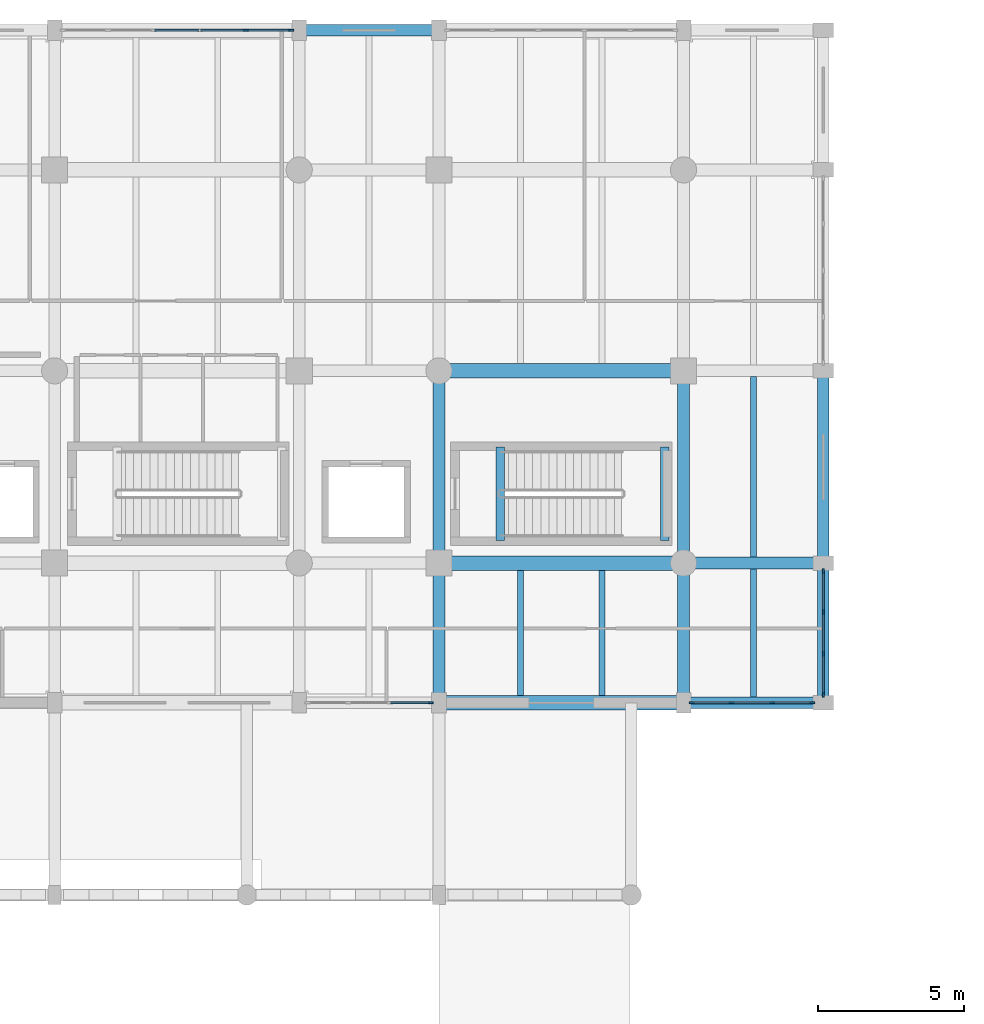
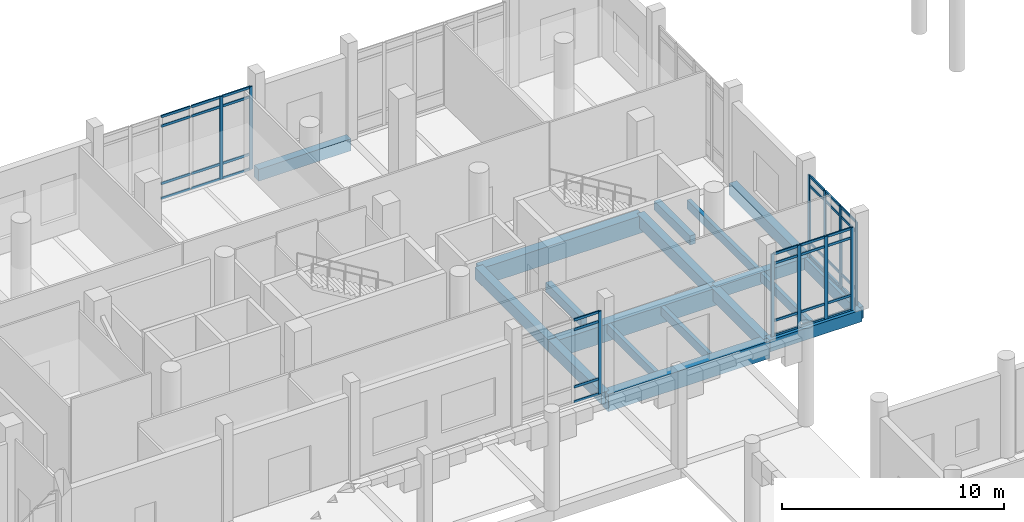
# One storey, part 18 of 72: 51 members, 18 beams, 4 elements without a shape of their own.
"""IFC4 building model written with IfcOpenShell, lengths in metres."""

from ifc_helpers import new_model, si_unit, direction, frame, origin, origin_2d, place, context, subcontext, project, spatial, rectangle, extrude, material, material_profile, profile_set, type_object, element, aggregate, save


model = new_model("IFC4")

# Units and contexts
model_context = context("Model", 3, precision=1e-05, world=origin(), true_north=direction((0.0, 1.0)))
body_context = subcontext(model_context, "Body", "Model", "MODEL_VIEW")
ifc_project = project(units=[si_unit("LENGTHUNIT", "METRE"), si_unit("AREAUNIT", "SQUARE_METRE"), si_unit("VOLUMEUNIT", "CUBIC_METRE"), si_unit("PLANEANGLEUNIT", "RADIAN"), si_unit("MASSUNIT", "GRAM", prefix="KILO")], contexts=[model_context])

# Site, building, storey
site_placement = place(None, origin())
site = spatial("IfcSite", under=ifc_project, at=site_placement, CompositionType="ELEMENT")
building_placement = place(site_placement, origin())
building = spatial("IfcBuilding", under=site, at=building_placement, Name="Dornvale Research Institute", CompositionType="ELEMENT")
storey_placement = place(building_placement, origin())
storey = spatial("IfcBuildingStorey", under=building, at=storey_placement, Name="L00", CompositionType="ELEMENT", Elevation=0.0)

# Beams
ifc_material_1 = material(Name="Concrete f'c 45 MPa (C35/45)", Category="concrete")
ifc_material_profile_1 = material_profile(ifc_material_1, rectangle(XDim=0.300048828125, YDim=0.5, at=origin_2d()), Name="RC 300x500")
ifc_profile_set_1 = profile_set([ifc_material_profile_1], Name="Concrete f'c 45 MPa (C35/45)")
beam_type_1 = type_object("IfcBeamType", Name="Beam_RC300x500_Trim", PredefinedType="BEAM", material=ifc_profile_set_1)
for number, where, z_axis, x_axis, name in (
    (1, (35.10009765625, 104.580078125, -0.25), (0.0, 1.0, 0.0), (-1.0, 0.0, 0.0), "L00 ST-2 stair landing trimmer beam #24"),
    (2, (40.75, 104.580078125, 2.25), (0.0, 1.0, 0.0), (-1.0, 0.0, 0.0), "L00 ST-2 half-landing support beam #37"),
):
    element("IfcBeam", number, at=place(storey_placement, frame(where, z_axis=z_axis, x_axis=x_axis)), inside=storey, type_object=beam_type_1, Name=name, PredefinedType="BEAM", context=body_context, shape_type="SweptSolid", body=[
        extrude(rectangle(XDim=0.300048828125, YDim=0.5, at=origin_2d()), origin(), (0.0, 0.0, 1.0), 3.199951171875),
    ])
ifc_material_2 = material(Name="Concrete f'c 45 MPa (C35/45)", Category="concrete")
ifc_material_profile_2 = material_profile(ifc_material_2, rectangle(XDim=0.39990234375, YDim=0.64990234375, at=origin_2d()), Name="RC 400x650")
ifc_profile_set_2 = profile_set([ifc_material_profile_2], Name="Concrete f'c 45 MPa (C35/45)")
beam_type_2 = type_object("IfcBeamType", Name="Beam_RC400x650_Floor", PredefinedType="BEAM", material=ifc_profile_set_2)
for number, where, z_axis, x_axis, name in (
    (3, (41.39990234375, 99.0, -0.324951171875), (1.0, 0.0, 0.0), (0.0, 1.0, 0.0), "L00 primary girder #7"),
    (4, (41.39990234375, 103.800048828125, -0.324951171875), (1.0, 0.0, 0.0), (0.0, 1.0, 0.0), "L00 primary girder #14"),
    (5, (28.199951171875, 122.10009765625, -0.324951171875), (1.0, 0.0, 0.0), (0.0, 1.0, 0.0), "L00 primary girder #33"),
    (6, (33.0, 99.0, -0.324951171875), (0.0, 1.0, 0.0), (-1.0, 0.0, 0.0), "L00 transverse girder #56"),
):
    element("IfcBeam", number, at=place(storey_placement, frame(where, z_axis=z_axis, x_axis=x_axis)), inside=storey, type_object=beam_type_2, Name=name, PredefinedType="BEAM", context=body_context, shape_type="SweptSolid", body=[
        extrude(rectangle(XDim=0.39990234375, YDim=0.64990234375, at=origin_2d()), origin(), (0.0, 0.0, 1.0), 4.800048828125),
    ])
beam_1_placement = place(storey_placement, frame((33.0, 103.800048828125, -0.324951171875), z_axis=(0.0, 1.0, 0.0), x_axis=(-1.0, 0.0, 0.0)))
element("IfcBeam", 7, at=beam_1_placement, inside=storey, type_object=beam_type_2, Name="L00 transverse girder #57", PredefinedType="BEAM", context=body_context, shape_type="SweptSolid", body=[
    extrude(rectangle(XDim=0.39990234375, YDim=0.64990234375, at=origin_2d()), origin(), (0.0, 0.0, 1.0), 6.599853515625),
])
beam_2_placement = place(storey_placement, frame((41.39990234375, 99.0, -0.324951171875), z_axis=(0.0, 1.0, 0.0), x_axis=(-1.0, 0.0, 0.0)))
element("IfcBeam", 8, at=beam_2_placement, inside=storey, type_object=beam_type_2, Name="L00 transverse girder #60", PredefinedType="BEAM", context=body_context, shape_type="SweptSolid", body=[
    extrude(rectangle(XDim=0.39990234375, YDim=0.64990234375, at=origin_2d()), origin(), (0.0, 0.0, 1.0), 4.800048828125),
])
beam_3_placement = place(storey_placement, frame((41.39990234375, 103.800048828125, -0.324951171875), z_axis=(0.0, 1.0, 0.0), x_axis=(-1.0, 0.0, 0.0)))
element("IfcBeam", 9, at=beam_3_placement, inside=storey, type_object=beam_type_2, Name="L00 transverse girder #61", PredefinedType="BEAM", context=body_context, shape_type="SweptSolid", body=[
    extrude(rectangle(XDim=0.39990234375, YDim=0.64990234375, at=origin_2d()), origin(), (0.0, 0.0, 1.0), 6.599853515625),
])
beam_4_placement = place(storey_placement, frame((46.199951171875, 99.0, -0.324951171875), z_axis=(0.0, 1.0, 0.0), x_axis=(-1.0, 0.0, 0.0)))
element("IfcBeam", 10, at=beam_4_placement, inside=storey, type_object=beam_type_2, Name="L00 transverse girder #64", PredefinedType="BEAM", context=body_context, shape_type="SweptSolid", body=[
    extrude(rectangle(XDim=0.39990234375, YDim=0.64990234375, at=origin_2d()), origin(), (0.0, 0.0, 1.0), 4.800048828125),
])
beam_5_placement = place(storey_placement, frame((46.199951171875, 103.800048828125, -0.324951171875), z_axis=(0.0, 1.0, 0.0), x_axis=(-1.0, 0.0, 0.0)))
element("IfcBeam", 11, at=beam_5_placement, inside=storey, type_object=beam_type_2, Name="L00 transverse girder #65", PredefinedType="BEAM", context=body_context, shape_type="SweptSolid", body=[
    extrude(rectangle(XDim=0.39990234375, YDim=0.64990234375, at=origin_2d()), origin(), (0.0, 0.0, 1.0), 6.599853515625),
])
ifc_material_3 = material(Name="Concrete f'c 45 MPa (C35/45)", Category="concrete")
ifc_material_profile_3 = material_profile(ifc_material_3, rectangle(XDim=0.5, YDim=0.949951171875, at=origin_2d()), Name="RC 500x950")
ifc_profile_set_3 = profile_set([ifc_material_profile_3], Name="Concrete f'c 45 MPa (C35/45)")
beam_type_3 = type_object("IfcBeamType", Name="Beam_RC500x950_Girder", PredefinedType="BEAM", material=ifc_profile_set_3)
for number, where, z_axis, x_axis, name in (
    (12, (33.0, 99.0, -0.47509765625), (1.0, 0.0, 0.0), (0.0, 1.0, 0.0), "L00 primary girder #6"),
    (13, (33.0, 103.800048828125, -0.47509765625), (1.0, 0.0, 0.0), (0.0, 1.0, 0.0), "L00 primary girder #13"),
    (14, (33.0, 110.39990234375, -0.47509765625), (1.0, 0.0, 0.0), (0.0, 1.0, 0.0), "L00 primary girder #20"),
):
    element("IfcBeam", number, at=place(storey_placement, frame(where, z_axis=z_axis, x_axis=x_axis)), inside=storey, type_object=beam_type_3, Name=name, PredefinedType="BEAM", context=body_context, shape_type="SweptSolid", body=[
        extrude(rectangle(XDim=0.5, YDim=0.949951171875, at=origin_2d()), origin(), (0.0, 0.0, 1.0), 8.39990234375),
    ])
ifc_material_4 = material(Name="Concrete f'c 45 MPa (C35/45)", Category="concrete")
ifc_material_profile_4 = material_profile(ifc_material_4, rectangle(XDim=0.199951171875, YDim=0.485107421875, at=origin_2d()), Name="RC 200x485")
ifc_profile_set_4 = profile_set([ifc_material_profile_4], Name="Concrete f'c 45 MPa (C35/45)")
beam_type_4 = type_object("IfcBeamType", Name="Joist_RC200x485_Rib", PredefinedType="JOIST", material=ifc_profile_set_4)
for number, where, z_axis, x_axis, name in (
    (15, (35.800048828125, 99.25, -0.242431640625), (0.0, 1.0, 0.0), (-1.0, 0.0, 0.0), "L00 laboratory waffle joist #28"),
    (16, (38.60009765625, 99.25, -0.242431640625), (0.0, 1.0, 0.0), (-1.0, 0.0, 0.0), "L00 laboratory waffle joist #29"),
):
    element("IfcBeam", number, at=place(storey_placement, frame(where, z_axis=z_axis, x_axis=x_axis)), inside=storey, type_object=beam_type_4, Name=name, PredefinedType="JOIST", context=body_context, shape_type="SweptSolid", body=[
        extrude(rectangle(XDim=0.199951171875, YDim=0.485107421875, at=origin_2d()), origin(), (0.0, 0.0, 1.0), 4.300048828125),
    ])
beam_6_placement = place(storey_placement, frame((43.800048828125, 99.199951171875, -0.242431640625), z_axis=(0.0, 1.0, 0.0), x_axis=(-1.0, 0.0, 0.0)))
element("IfcBeam", 17, at=beam_6_placement, inside=storey, type_object=beam_type_4, Name="L00 laboratory waffle joist #34", PredefinedType="JOIST", context=body_context, shape_type="SweptSolid", body=[
    extrude(rectangle(XDim=0.199951171875, YDim=0.485107421875, at=origin_2d()), origin(), (0.0, 0.0, 1.0), 4.400146484375),
])
beam_7_placement = place(storey_placement, frame((43.800048828125, 104.0, -0.242431640625), z_axis=(0.0, 1.0, 0.0), x_axis=(-1.0, 0.0, 0.0)))
element("IfcBeam", 18, at=beam_7_placement, inside=storey, type_object=beam_type_4, Name="L00 laboratory waffle joist #35", PredefinedType="JOIST", context=body_context, shape_type="SweptSolid", body=[
    extrude(rectangle(XDim=0.199951171875, YDim=0.485107421875, at=origin_2d()), origin(), (0.0, 0.0, 1.0), 6.199951171875),
])

# Curtain wall, members
ifc_material_5 = material(Name="Low-E Argon Double Insulating Glazing Unit", Category="glass")
curtain_wall_type_1 = type_object("IfcCurtainWallType", Name="UnitisedCurtainWall_V5_7900x4550", PredefinedType="USERDEFINED", material=ifc_material_5)
curtain_wall_1_placement = place(storey_placement, origin())
curtain_wall_1 = element("IfcCurtainWall", 19, at=curtain_wall_1_placement, inside=storey, type_object=curtain_wall_type_1, Name="L00 V5 unitised curtain wall CW-20 #126", ObjectType="UNITISED CURTAIN WALL", PredefinedType="USERDEFINED")
ifc_material_6 = material(Name="Anodized Aluminum AA 6063-T6 Thermally Broken Frame", Category="aluminium")
ifc_material_profile_5 = material_profile(ifc_material_6, rectangle(XDim=0.06494140625, YDim=0.179931640625, at=origin_2d()), Name="ALU MULLION 65x180")
ifc_profile_set_5 = profile_set([ifc_material_profile_5], Name="Anodized Aluminum AA 6063-T6 Thermally Broken Frame")
member_type_1 = type_object("IfcMemberType", Name="Mullion_CW_65x180", PredefinedType="MULLION", material=ifc_profile_set_5)
member_1_placement = place(storey_placement, frame((26.3701171875, 122.10009765625, 0.0), z_axis=(0.0, 0.0, 1.0), x_axis=(0.0, 1.0, 0.0)))
member_1 = element("IfcMember", 20, at=member_1_placement, type_object=member_type_1, Name="CW-20 mullion 5", PredefinedType="MULLION", context=body_context, shape_type="SweptSolid", body=[
    extrude(rectangle(XDim=0.06494140625, YDim=0.179931640625, at=origin_2d()), origin(), (0.0, 0.0, 1.0), 4.550048828125),
])
member_2_placement = place(storey_placement, frame((27.91748046875, 122.10009765625, 0.0), z_axis=(0.0, 0.0, 1.0), x_axis=(0.0, 1.0, 0.0)))
member_2 = element("IfcMember", 21, at=member_2_placement, type_object=member_type_1, Name="CW-20 mullion 6", PredefinedType="MULLION", context=body_context, shape_type="SweptSolid", body=[
    extrude(rectangle(XDim=0.06494140625, YDim=0.179931640625, at=origin_2d()), origin(), (0.0, 0.0, 1.0), 4.550048828125),
])

ifc_material_7 = material(Name="Low-E Argon Double Insulating Glazing Unit", Category="glass")
curtain_wall_type_2 = type_object("IfcCurtainWallType", Name="UnitisedCurtainWall_V5_4300x4550", PredefinedType="USERDEFINED", material=ifc_material_7)
curtain_wall_2_placement = place(storey_placement, origin())
curtain_wall_2 = element("IfcCurtainWall", 22, at=curtain_wall_2_placement, inside=storey, type_object=curtain_wall_type_2, Name="L00 V5 unitised curtain wall CW-22 #129", ObjectType="UNITISED CURTAIN WALL", PredefinedType="USERDEFINED")
member_3_placement = place(storey_placement, frame((46.199951171875, 103.517578125, 0.0), z_axis=(0.0, 0.0, 1.0), x_axis=(1.0, 0.0, 0.0)))
member_3 = element("IfcMember", 23, at=member_3_placement, type_object=member_type_1, Name="CW-22 mullion 1", PredefinedType="MULLION", context=body_context, shape_type="SweptSolid", body=[
    extrude(rectangle(XDim=0.06494140625, YDim=0.179931640625, at=origin_2d()), origin(), (0.0, 0.0, 1.0), 4.550048828125),
])
member_4_placement = place(storey_placement, frame((46.199951171875, 102.11669921875, 0.0), z_axis=(0.0, 0.0, 1.0), x_axis=(1.0, 0.0, 0.0)))
member_4 = element("IfcMember", 24, at=member_4_placement, type_object=member_type_1, Name="CW-22 mullion 2", PredefinedType="MULLION", context=body_context, shape_type="SweptSolid", body=[
    extrude(rectangle(XDim=0.06494140625, YDim=0.179931640625, at=origin_2d()), origin(), (0.0, 0.0, 1.0), 4.550048828125),
])
member_5_placement = place(storey_placement, frame((46.199951171875, 100.683349609375, 0.0), z_axis=(0.0, 0.0, 1.0), x_axis=(1.0, 0.0, 0.0)))
member_5 = element("IfcMember", 25, at=member_5_placement, type_object=member_type_1, Name="CW-22 mullion 3", PredefinedType="MULLION", context=body_context, shape_type="SweptSolid", body=[
    extrude(rectangle(XDim=0.06494140625, YDim=0.179931640625, at=origin_2d()), origin(), (0.0, 0.0, 1.0), 4.550048828125),
])
member_6_placement = place(storey_placement, frame((46.199951171875, 99.282470703125, 0.0), z_axis=(0.0, 0.0, 1.0), x_axis=(1.0, 0.0, 0.0)))
member_6 = element("IfcMember", 26, at=member_6_placement, type_object=member_type_1, Name="CW-22 mullion 4", PredefinedType="MULLION", context=body_context, shape_type="SweptSolid", body=[
    extrude(rectangle(XDim=0.06494140625, YDim=0.179931640625, at=origin_2d()), origin(), (0.0, 0.0, 1.0), 4.550048828125),
])

ifc_material_8 = material(Name="Low-E Argon Double Insulating Glazing Unit", Category="glass")
curtain_wall_type_3 = type_object("IfcCurtainWallType", Name="UnitisedCurtainWall_V5_4200x4550", PredefinedType="USERDEFINED", material=ifc_material_8)
curtain_wall_3_placement = place(storey_placement, origin())
curtain_wall_3 = element("IfcCurtainWall", 27, at=curtain_wall_3_placement, inside=storey, type_object=curtain_wall_type_3, Name="L00 V5 unitised curtain wall CW-23 #130", ObjectType="UNITISED CURTAIN WALL", PredefinedType="USERDEFINED")
member_7_placement = place(storey_placement, frame((45.8173828125, 99.0, 0.0), z_axis=(0.0, 0.0, 1.0), x_axis=(0.0, -1.0, 0.0)))
member_7 = element("IfcMember", 28, at=member_7_placement, type_object=member_type_1, Name="CW-23 mullion 1", PredefinedType="MULLION", context=body_context, shape_type="SweptSolid", body=[
    extrude(rectangle(XDim=0.06494140625, YDim=0.179931640625, at=origin_2d()), origin(), (0.0, 0.0, 1.0), 4.550048828125),
])
member_8_placement = place(storey_placement, frame((44.449951171875, 99.0, 0.0), z_axis=(0.0, 0.0, 1.0), x_axis=(0.0, -1.0, 0.0)))
member_8 = element("IfcMember", 29, at=member_8_placement, type_object=member_type_1, Name="CW-23 mullion 2", PredefinedType="MULLION", context=body_context, shape_type="SweptSolid", body=[
    extrude(rectangle(XDim=0.06494140625, YDim=0.179931640625, at=origin_2d()), origin(), (0.0, 0.0, 1.0), 4.550048828125),
])
member_9_placement = place(storey_placement, frame((43.050048828125, 99.0, 0.0), z_axis=(0.0, 0.0, 1.0), x_axis=(0.0, -1.0, 0.0)))
member_9 = element("IfcMember", 30, at=member_9_placement, type_object=member_type_1, Name="CW-23 mullion 3", PredefinedType="MULLION", context=body_context, shape_type="SweptSolid", body=[
    extrude(rectangle(XDim=0.06494140625, YDim=0.179931640625, at=origin_2d()), origin(), (0.0, 0.0, 1.0), 4.550048828125),
])
member_10_placement = place(storey_placement, frame((41.6826171875, 99.0, 0.0), z_axis=(0.0, 0.0, 1.0), x_axis=(0.0, -1.0, 0.0)))
member_10 = element("IfcMember", 31, at=member_10_placement, type_object=member_type_1, Name="CW-23 mullion 4", PredefinedType="MULLION", context=body_context, shape_type="SweptSolid", body=[
    extrude(rectangle(XDim=0.06494140625, YDim=0.179931640625, at=origin_2d()), origin(), (0.0, 0.0, 1.0), 4.550048828125),
])

# Curtain wall, member
curtain_wall_4_placement = place(storey_placement, origin())
curtain_wall_4 = element("IfcCurtainWall", 32, at=curtain_wall_4_placement, inside=storey, type_object=curtain_wall_type_2, Name="L00 V5 unitised curtain wall CW-22 #131", ObjectType="UNITISED CURTAIN WALL", PredefinedType="USERDEFINED")
member_11_placement = place(storey_placement, frame((32.717529296875, 99.0, 0.0), z_axis=(0.0, 0.0, 1.0), x_axis=(0.0, -1.0, 0.0)))
member_11 = element("IfcMember", 33, at=member_11_placement, type_object=member_type_1, Name="CW-22 mullion 1", PredefinedType="MULLION", context=body_context, shape_type="SweptSolid", body=[
    extrude(rectangle(XDim=0.06494140625, YDim=0.179931640625, at=origin_2d()), origin(), (0.0, 0.0, 1.0), 4.550048828125),
])

# Member
ifc_material_9 = material(Name="Anodized Aluminum AA 6063-T6 Thermally Broken Frame", Category="aluminium")
ifc_material_profile_6 = material_profile(ifc_material_9, rectangle(XDim=0.06494140625, YDim=0.135009765625, at=origin_2d()), Name="ALU TRANSOM 65x135")
ifc_profile_set_6 = profile_set([ifc_material_profile_6], Name="Anodized Aluminum AA 6063-T6 Thermally Broken Frame")
member_type_2 = type_object("IfcMemberType", Name="Transom_CW_65x135", PredefinedType="USERDEFINED", material=ifc_profile_set_6)
member_12_placement = place(storey_placement, frame((23.242431640625, 122.10009765625, 0.032470703125), z_axis=(1.0, 0.0, 0.0), x_axis=(0.0, 1.0, 0.0)))
member_12 = element("IfcMember", 34, at=member_12_placement, type_object=member_type_2, Name="CW-20 transom 3.1", ObjectType="TRANSOM", PredefinedType="USERDEFINED", context=body_context, shape_type="SweptSolid", body=[
    extrude(rectangle(XDim=0.06494140625, YDim=0.135009765625, at=origin_2d()), origin(), (0.0, 0.0, 1.0), 1.51513671875),
])

member_13_placement = place(storey_placement, frame((23.242431640625, 122.10009765625, 0.85009765625), z_axis=(1.0, 0.0, 0.0), x_axis=(0.0, 1.0, 0.0)))
member_13 = element("IfcMember", 35, at=member_13_placement, type_object=member_type_2, Name="CW-20 transom 3.2", ObjectType="TRANSOM", PredefinedType="USERDEFINED", context=body_context, shape_type="SweptSolid", body=[
    extrude(rectangle(XDim=0.06494140625, YDim=0.135009765625, at=origin_2d()), origin(), (0.0, 0.0, 1.0), 1.51513671875),
])

member_14_placement = place(storey_placement, frame((23.242431640625, 122.10009765625, 4.0), z_axis=(1.0, 0.0, 0.0), x_axis=(0.0, 1.0, 0.0)))
member_14 = element("IfcMember", 36, at=member_14_placement, type_object=member_type_2, Name="CW-20 transom 3.3", ObjectType="TRANSOM", PredefinedType="USERDEFINED", context=body_context, shape_type="SweptSolid", body=[
    extrude(rectangle(XDim=0.06494140625, YDim=0.135009765625, at=origin_2d()), origin(), (0.0, 0.0, 1.0), 1.51513671875),
])

member_15_placement = place(storey_placement, frame((23.242431640625, 122.10009765625, 4.517578125), z_axis=(1.0, 0.0, 0.0), x_axis=(0.0, 1.0, 0.0)))
member_15 = element("IfcMember", 37, at=member_15_placement, type_object=member_type_2, Name="CW-20 transom 3.4", ObjectType="TRANSOM", PredefinedType="USERDEFINED", context=body_context, shape_type="SweptSolid", body=[
    extrude(rectangle(XDim=0.06494140625, YDim=0.135009765625, at=origin_2d()), origin(), (0.0, 0.0, 1.0), 1.51513671875),
])

member_16_placement = place(storey_placement, frame((24.822509765625, 122.10009765625, 0.032470703125), z_axis=(1.0, 0.0, 0.0), x_axis=(0.0, 1.0, 0.0)))
member_16 = element("IfcMember", 38, at=member_16_placement, type_object=member_type_2, Name="CW-20 transom 4.1", ObjectType="TRANSOM", PredefinedType="USERDEFINED", context=body_context, shape_type="SweptSolid", body=[
    extrude(rectangle(XDim=0.06494140625, YDim=0.135009765625, at=origin_2d()), origin(), (0.0, 0.0, 1.0), 1.514892578125),
])

member_17_placement = place(storey_placement, frame((24.822509765625, 122.10009765625, 0.85009765625), z_axis=(1.0, 0.0, 0.0), x_axis=(0.0, 1.0, 0.0)))
member_17 = element("IfcMember", 39, at=member_17_placement, type_object=member_type_2, Name="CW-20 transom 4.2", ObjectType="TRANSOM", PredefinedType="USERDEFINED", context=body_context, shape_type="SweptSolid", body=[
    extrude(rectangle(XDim=0.06494140625, YDim=0.135009765625, at=origin_2d()), origin(), (0.0, 0.0, 1.0), 1.514892578125),
])

member_18_placement = place(storey_placement, frame((24.822509765625, 122.10009765625, 4.0), z_axis=(1.0, 0.0, 0.0), x_axis=(0.0, 1.0, 0.0)))
member_18 = element("IfcMember", 40, at=member_18_placement, type_object=member_type_2, Name="CW-20 transom 4.3", ObjectType="TRANSOM", PredefinedType="USERDEFINED", context=body_context, shape_type="SweptSolid", body=[
    extrude(rectangle(XDim=0.06494140625, YDim=0.135009765625, at=origin_2d()), origin(), (0.0, 0.0, 1.0), 1.514892578125),
])

member_19_placement = place(storey_placement, frame((24.822509765625, 122.10009765625, 4.517578125), z_axis=(1.0, 0.0, 0.0), x_axis=(0.0, 1.0, 0.0)))
member_19 = element("IfcMember", 41, at=member_19_placement, type_object=member_type_2, Name="CW-20 transom 4.4", ObjectType="TRANSOM", PredefinedType="USERDEFINED", context=body_context, shape_type="SweptSolid", body=[
    extrude(rectangle(XDim=0.06494140625, YDim=0.135009765625, at=origin_2d()), origin(), (0.0, 0.0, 1.0), 1.514892578125),
])

member_20_placement = place(storey_placement, frame((26.402587890625, 122.10009765625, 0.032470703125), z_axis=(1.0, 0.0, 0.0), x_axis=(0.0, 1.0, 0.0)))
member_20 = element("IfcMember", 42, at=member_20_placement, type_object=member_type_2, Name="CW-20 transom 5.1", ObjectType="TRANSOM", PredefinedType="USERDEFINED", context=body_context, shape_type="SweptSolid", body=[
    extrude(rectangle(XDim=0.06494140625, YDim=0.135009765625, at=origin_2d()), origin(), (0.0, 0.0, 1.0), 1.482421875),
])

member_21_placement = place(storey_placement, frame((26.402587890625, 122.10009765625, 0.85009765625), z_axis=(1.0, 0.0, 0.0), x_axis=(0.0, 1.0, 0.0)))
member_21 = element("IfcMember", 43, at=member_21_placement, type_object=member_type_2, Name="CW-20 transom 5.2", ObjectType="TRANSOM", PredefinedType="USERDEFINED", context=body_context, shape_type="SweptSolid", body=[
    extrude(rectangle(XDim=0.06494140625, YDim=0.135009765625, at=origin_2d()), origin(), (0.0, 0.0, 1.0), 1.482421875),
])

member_22_placement = place(storey_placement, frame((26.402587890625, 122.10009765625, 4.0), z_axis=(1.0, 0.0, 0.0), x_axis=(0.0, 1.0, 0.0)))
member_22 = element("IfcMember", 44, at=member_22_placement, type_object=member_type_2, Name="CW-20 transom 5.3", ObjectType="TRANSOM", PredefinedType="USERDEFINED", context=body_context, shape_type="SweptSolid", body=[
    extrude(rectangle(XDim=0.06494140625, YDim=0.135009765625, at=origin_2d()), origin(), (0.0, 0.0, 1.0), 1.482421875),
])

member_23_placement = place(storey_placement, frame((26.402587890625, 122.10009765625, 4.517578125), z_axis=(1.0, 0.0, 0.0), x_axis=(0.0, 1.0, 0.0)))
member_23 = element("IfcMember", 45, at=member_23_placement, type_object=member_type_2, Name="CW-20 transom 5.4", ObjectType="TRANSOM", PredefinedType="USERDEFINED", context=body_context, shape_type="SweptSolid", body=[
    extrude(rectangle(XDim=0.06494140625, YDim=0.135009765625, at=origin_2d()), origin(), (0.0, 0.0, 1.0), 1.482421875),
])

aggregate(curtain_wall_1, [member_1, member_2, member_12, member_13, member_14, member_15, member_16, member_17, member_18, member_19, member_20, member_21, member_22, member_23])

member_24_placement = place(storey_placement, frame((46.199951171875, 103.485107421875, 0.032470703125), z_axis=(0.0, -1.0, 0.0), x_axis=(1.0, 0.0, 0.0)))
member_24 = element("IfcMember", 46, at=member_24_placement, type_object=member_type_2, Name="CW-22 transom 1.1", ObjectType="TRANSOM", PredefinedType="USERDEFINED", context=body_context, shape_type="SweptSolid", body=[
    extrude(rectangle(XDim=0.06494140625, YDim=0.135009765625, at=origin_2d()), origin(), (0.0, 0.0, 1.0), 1.3359375),
])

member_25_placement = place(storey_placement, frame((46.199951171875, 103.485107421875, 0.85009765625), z_axis=(0.0, -1.0, 0.0), x_axis=(1.0, 0.0, 0.0)))
member_25 = element("IfcMember", 47, at=member_25_placement, type_object=member_type_2, Name="CW-22 transom 1.2", ObjectType="TRANSOM", PredefinedType="USERDEFINED", context=body_context, shape_type="SweptSolid", body=[
    extrude(rectangle(XDim=0.06494140625, YDim=0.135009765625, at=origin_2d()), origin(), (0.0, 0.0, 1.0), 1.3359375),
])

member_26_placement = place(storey_placement, frame((46.199951171875, 103.485107421875, 4.0), z_axis=(0.0, -1.0, 0.0), x_axis=(1.0, 0.0, 0.0)))
member_26 = element("IfcMember", 48, at=member_26_placement, type_object=member_type_2, Name="CW-22 transom 1.3", ObjectType="TRANSOM", PredefinedType="USERDEFINED", context=body_context, shape_type="SweptSolid", body=[
    extrude(rectangle(XDim=0.06494140625, YDim=0.135009765625, at=origin_2d()), origin(), (0.0, 0.0, 1.0), 1.3359375),
])

member_27_placement = place(storey_placement, frame((46.199951171875, 103.485107421875, 4.517578125), z_axis=(0.0, -1.0, 0.0), x_axis=(1.0, 0.0, 0.0)))
member_27 = element("IfcMember", 49, at=member_27_placement, type_object=member_type_2, Name="CW-22 transom 1.4", ObjectType="TRANSOM", PredefinedType="USERDEFINED", context=body_context, shape_type="SweptSolid", body=[
    extrude(rectangle(XDim=0.06494140625, YDim=0.135009765625, at=origin_2d()), origin(), (0.0, 0.0, 1.0), 1.3359375),
])

member_28_placement = place(storey_placement, frame((46.199951171875, 102.084228515625, 0.032470703125), z_axis=(0.0, -1.0, 0.0), x_axis=(1.0, 0.0, 0.0)))
member_28 = element("IfcMember", 50, at=member_28_placement, type_object=member_type_2, Name="CW-22 transom 2.1", ObjectType="TRANSOM", PredefinedType="USERDEFINED", context=body_context, shape_type="SweptSolid", body=[
    extrude(rectangle(XDim=0.06494140625, YDim=0.135009765625, at=origin_2d()), origin(), (0.0, 0.0, 1.0), 1.368408203125),
])

member_29_placement = place(storey_placement, frame((46.199951171875, 102.084228515625, 0.85009765625), z_axis=(0.0, -1.0, 0.0), x_axis=(1.0, 0.0, 0.0)))
member_29 = element("IfcMember", 51, at=member_29_placement, type_object=member_type_2, Name="CW-22 transom 2.2", ObjectType="TRANSOM", PredefinedType="USERDEFINED", context=body_context, shape_type="SweptSolid", body=[
    extrude(rectangle(XDim=0.06494140625, YDim=0.135009765625, at=origin_2d()), origin(), (0.0, 0.0, 1.0), 1.368408203125),
])

member_30_placement = place(storey_placement, frame((46.199951171875, 102.084228515625, 4.0), z_axis=(0.0, -1.0, 0.0), x_axis=(1.0, 0.0, 0.0)))
member_30 = element("IfcMember", 52, at=member_30_placement, type_object=member_type_2, Name="CW-22 transom 2.3", ObjectType="TRANSOM", PredefinedType="USERDEFINED", context=body_context, shape_type="SweptSolid", body=[
    extrude(rectangle(XDim=0.06494140625, YDim=0.135009765625, at=origin_2d()), origin(), (0.0, 0.0, 1.0), 1.368408203125),
])

member_31_placement = place(storey_placement, frame((46.199951171875, 102.084228515625, 4.517578125), z_axis=(0.0, -1.0, 0.0), x_axis=(1.0, 0.0, 0.0)))
member_31 = element("IfcMember", 53, at=member_31_placement, type_object=member_type_2, Name="CW-22 transom 2.4", ObjectType="TRANSOM", PredefinedType="USERDEFINED", context=body_context, shape_type="SweptSolid", body=[
    extrude(rectangle(XDim=0.06494140625, YDim=0.135009765625, at=origin_2d()), origin(), (0.0, 0.0, 1.0), 1.368408203125),
])

member_32_placement = place(storey_placement, frame((46.199951171875, 100.65087890625, 0.032470703125), z_axis=(0.0, -1.0, 0.0), x_axis=(1.0, 0.0, 0.0)))
member_32 = element("IfcMember", 54, at=member_32_placement, type_object=member_type_2, Name="CW-22 transom 3.1", ObjectType="TRANSOM", PredefinedType="USERDEFINED", context=body_context, shape_type="SweptSolid", body=[
    extrude(rectangle(XDim=0.06494140625, YDim=0.135009765625, at=origin_2d()), origin(), (0.0, 0.0, 1.0), 1.3359375),
])

member_33_placement = place(storey_placement, frame((46.199951171875, 100.65087890625, 0.85009765625), z_axis=(0.0, -1.0, 0.0), x_axis=(1.0, 0.0, 0.0)))
member_33 = element("IfcMember", 55, at=member_33_placement, type_object=member_type_2, Name="CW-22 transom 3.2", ObjectType="TRANSOM", PredefinedType="USERDEFINED", context=body_context, shape_type="SweptSolid", body=[
    extrude(rectangle(XDim=0.06494140625, YDim=0.135009765625, at=origin_2d()), origin(), (0.0, 0.0, 1.0), 1.3359375),
])

member_34_placement = place(storey_placement, frame((46.199951171875, 100.65087890625, 4.0), z_axis=(0.0, -1.0, 0.0), x_axis=(1.0, 0.0, 0.0)))
member_34 = element("IfcMember", 56, at=member_34_placement, type_object=member_type_2, Name="CW-22 transom 3.3", ObjectType="TRANSOM", PredefinedType="USERDEFINED", context=body_context, shape_type="SweptSolid", body=[
    extrude(rectangle(XDim=0.06494140625, YDim=0.135009765625, at=origin_2d()), origin(), (0.0, 0.0, 1.0), 1.3359375),
])

member_35_placement = place(storey_placement, frame((46.199951171875, 100.65087890625, 4.517578125), z_axis=(0.0, -1.0, 0.0), x_axis=(1.0, 0.0, 0.0)))
member_35 = element("IfcMember", 57, at=member_35_placement, type_object=member_type_2, Name="CW-22 transom 3.4", ObjectType="TRANSOM", PredefinedType="USERDEFINED", context=body_context, shape_type="SweptSolid", body=[
    extrude(rectangle(XDim=0.06494140625, YDim=0.135009765625, at=origin_2d()), origin(), (0.0, 0.0, 1.0), 1.3359375),
])

aggregate(curtain_wall_2, [member_3, member_4, member_5, member_6, member_24, member_25, member_26, member_27, member_28, member_29, member_30, member_31, member_32, member_33, member_34, member_35])

member_36_placement = place(storey_placement, frame((45.784912109375, 99.0, 0.032470703125), z_axis=(-1.0, 0.0, 0.0), x_axis=(0.0, -1.0, 0.0)))
member_36 = element("IfcMember", 58, at=member_36_placement, type_object=member_type_2, Name="CW-23 transom 1.1", ObjectType="TRANSOM", PredefinedType="USERDEFINED", context=body_context, shape_type="SweptSolid", body=[
    extrude(rectangle(XDim=0.06494140625, YDim=0.135009765625, at=origin_2d()), origin(), (0.0, 0.0, 1.0), 1.302490234375),
])

member_37_placement = place(storey_placement, frame((45.784912109375, 99.0, 0.85009765625), z_axis=(-1.0, 0.0, 0.0), x_axis=(0.0, -1.0, 0.0)))
member_37 = element("IfcMember", 59, at=member_37_placement, type_object=member_type_2, Name="CW-23 transom 1.2", ObjectType="TRANSOM", PredefinedType="USERDEFINED", context=body_context, shape_type="SweptSolid", body=[
    extrude(rectangle(XDim=0.06494140625, YDim=0.135009765625, at=origin_2d()), origin(), (0.0, 0.0, 1.0), 1.302490234375),
])

member_38_placement = place(storey_placement, frame((45.784912109375, 99.0, 4.0), z_axis=(-1.0, 0.0, 0.0), x_axis=(0.0, -1.0, 0.0)))
member_38 = element("IfcMember", 60, at=member_38_placement, type_object=member_type_2, Name="CW-23 transom 1.3", ObjectType="TRANSOM", PredefinedType="USERDEFINED", context=body_context, shape_type="SweptSolid", body=[
    extrude(rectangle(XDim=0.06494140625, YDim=0.135009765625, at=origin_2d()), origin(), (0.0, 0.0, 1.0), 1.302490234375),
])

member_39_placement = place(storey_placement, frame((45.784912109375, 99.0, 4.517578125), z_axis=(-1.0, 0.0, 0.0), x_axis=(0.0, -1.0, 0.0)))
member_39 = element("IfcMember", 61, at=member_39_placement, type_object=member_type_2, Name="CW-23 transom 1.4", ObjectType="TRANSOM", PredefinedType="USERDEFINED", context=body_context, shape_type="SweptSolid", body=[
    extrude(rectangle(XDim=0.06494140625, YDim=0.135009765625, at=origin_2d()), origin(), (0.0, 0.0, 1.0), 1.302490234375),
])

member_40_placement = place(storey_placement, frame((44.41748046875, 99.0, 0.032470703125), z_axis=(-1.0, 0.0, 0.0), x_axis=(0.0, -1.0, 0.0)))
member_40 = element("IfcMember", 62, at=member_40_placement, type_object=member_type_2, Name="CW-23 transom 2.1", ObjectType="TRANSOM", PredefinedType="USERDEFINED", context=body_context, shape_type="SweptSolid", body=[
    extrude(rectangle(XDim=0.06494140625, YDim=0.135009765625, at=origin_2d()), origin(), (0.0, 0.0, 1.0), 1.3349609375),
])

member_41_placement = place(storey_placement, frame((44.41748046875, 99.0, 0.85009765625), z_axis=(-1.0, 0.0, 0.0), x_axis=(0.0, -1.0, 0.0)))
member_41 = element("IfcMember", 63, at=member_41_placement, type_object=member_type_2, Name="CW-23 transom 2.2", ObjectType="TRANSOM", PredefinedType="USERDEFINED", context=body_context, shape_type="SweptSolid", body=[
    extrude(rectangle(XDim=0.06494140625, YDim=0.135009765625, at=origin_2d()), origin(), (0.0, 0.0, 1.0), 1.3349609375),
])

member_42_placement = place(storey_placement, frame((44.41748046875, 99.0, 4.0), z_axis=(-1.0, 0.0, 0.0), x_axis=(0.0, -1.0, 0.0)))
member_42 = element("IfcMember", 64, at=member_42_placement, type_object=member_type_2, Name="CW-23 transom 2.3", ObjectType="TRANSOM", PredefinedType="USERDEFINED", context=body_context, shape_type="SweptSolid", body=[
    extrude(rectangle(XDim=0.06494140625, YDim=0.135009765625, at=origin_2d()), origin(), (0.0, 0.0, 1.0), 1.3349609375),
])

member_43_placement = place(storey_placement, frame((44.41748046875, 99.0, 4.517578125), z_axis=(-1.0, 0.0, 0.0), x_axis=(0.0, -1.0, 0.0)))
member_43 = element("IfcMember", 65, at=member_43_placement, type_object=member_type_2, Name="CW-23 transom 2.4", ObjectType="TRANSOM", PredefinedType="USERDEFINED", context=body_context, shape_type="SweptSolid", body=[
    extrude(rectangle(XDim=0.06494140625, YDim=0.135009765625, at=origin_2d()), origin(), (0.0, 0.0, 1.0), 1.3349609375),
])

member_44_placement = place(storey_placement, frame((43.017578125, 99.0, 0.032470703125), z_axis=(-1.0, 0.0, 0.0), x_axis=(0.0, -1.0, 0.0)))
member_44 = element("IfcMember", 66, at=member_44_placement, type_object=member_type_2, Name="CW-23 transom 3.1", ObjectType="TRANSOM", PredefinedType="USERDEFINED", context=body_context, shape_type="SweptSolid", body=[
    extrude(rectangle(XDim=0.06494140625, YDim=0.135009765625, at=origin_2d()), origin(), (0.0, 0.0, 1.0), 1.302490234375),
])

member_45_placement = place(storey_placement, frame((43.017578125, 99.0, 0.85009765625), z_axis=(-1.0, 0.0, 0.0), x_axis=(0.0, -1.0, 0.0)))
member_45 = element("IfcMember", 67, at=member_45_placement, type_object=member_type_2, Name="CW-23 transom 3.2", ObjectType="TRANSOM", PredefinedType="USERDEFINED", context=body_context, shape_type="SweptSolid", body=[
    extrude(rectangle(XDim=0.06494140625, YDim=0.135009765625, at=origin_2d()), origin(), (0.0, 0.0, 1.0), 1.302490234375),
])

member_46_placement = place(storey_placement, frame((43.017578125, 99.0, 4.0), z_axis=(-1.0, 0.0, 0.0), x_axis=(0.0, -1.0, 0.0)))
member_46 = element("IfcMember", 68, at=member_46_placement, type_object=member_type_2, Name="CW-23 transom 3.3", ObjectType="TRANSOM", PredefinedType="USERDEFINED", context=body_context, shape_type="SweptSolid", body=[
    extrude(rectangle(XDim=0.06494140625, YDim=0.135009765625, at=origin_2d()), origin(), (0.0, 0.0, 1.0), 1.302490234375),
])

member_47_placement = place(storey_placement, frame((43.017578125, 99.0, 4.517578125), z_axis=(-1.0, 0.0, 0.0), x_axis=(0.0, -1.0, 0.0)))
member_47 = element("IfcMember", 69, at=member_47_placement, type_object=member_type_2, Name="CW-23 transom 3.4", ObjectType="TRANSOM", PredefinedType="USERDEFINED", context=body_context, shape_type="SweptSolid", body=[
    extrude(rectangle(XDim=0.06494140625, YDim=0.135009765625, at=origin_2d()), origin(), (0.0, 0.0, 1.0), 1.302490234375),
])

aggregate(curtain_wall_3, [member_7, member_8, member_9, member_10, member_36, member_37, member_38, member_39, member_40, member_41, member_42, member_43, member_44, member_45, member_46, member_47])

member_48_placement = place(storey_placement, frame((32.68505859375, 99.0, 0.032470703125), z_axis=(-1.0, 0.0, 0.0), x_axis=(0.0, -1.0, 0.0)))
member_48 = element("IfcMember", 70, at=member_48_placement, type_object=member_type_2, Name="CW-22 transom 1.1", ObjectType="TRANSOM", PredefinedType="USERDEFINED", context=body_context, shape_type="SweptSolid", body=[
    extrude(rectangle(XDim=0.06494140625, YDim=0.135009765625, at=origin_2d()), origin(), (0.0, 0.0, 1.0), 1.3359375),
])

member_49_placement = place(storey_placement, frame((32.68505859375, 99.0, 0.85009765625), z_axis=(-1.0, 0.0, 0.0), x_axis=(0.0, -1.0, 0.0)))
member_49 = element("IfcMember", 71, at=member_49_placement, type_object=member_type_2, Name="CW-22 transom 1.2", ObjectType="TRANSOM", PredefinedType="USERDEFINED", context=body_context, shape_type="SweptSolid", body=[
    extrude(rectangle(XDim=0.06494140625, YDim=0.135009765625, at=origin_2d()), origin(), (0.0, 0.0, 1.0), 1.3359375),
])

member_50_placement = place(storey_placement, frame((32.68505859375, 99.0, 4.0), z_axis=(-1.0, 0.0, 0.0), x_axis=(0.0, -1.0, 0.0)))
member_50 = element("IfcMember", 72, at=member_50_placement, type_object=member_type_2, Name="CW-22 transom 1.3", ObjectType="TRANSOM", PredefinedType="USERDEFINED", context=body_context, shape_type="SweptSolid", body=[
    extrude(rectangle(XDim=0.06494140625, YDim=0.135009765625, at=origin_2d()), origin(), (0.0, 0.0, 1.0), 1.3359375),
])

member_51_placement = place(storey_placement, frame((32.68505859375, 99.0, 4.517578125), z_axis=(-1.0, 0.0, 0.0), x_axis=(0.0, -1.0, 0.0)))
member_51 = element("IfcMember", 73, at=member_51_placement, type_object=member_type_2, Name="CW-22 transom 1.4", ObjectType="TRANSOM", PredefinedType="USERDEFINED", context=body_context, shape_type="SweptSolid", body=[
    extrude(rectangle(XDim=0.06494140625, YDim=0.135009765625, at=origin_2d()), origin(), (0.0, 0.0, 1.0), 1.3359375),
])

aggregate(curtain_wall_4, [member_11, member_48, member_49, member_50, member_51])

save(model, "model.ifc")
